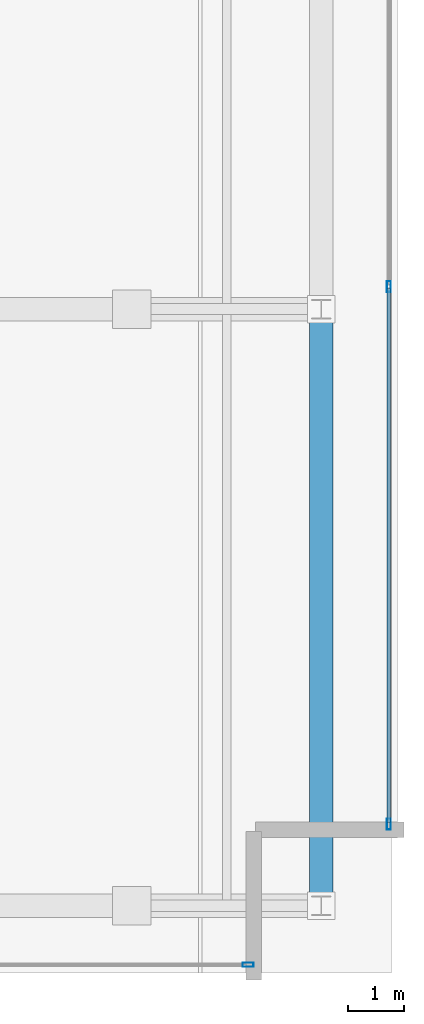
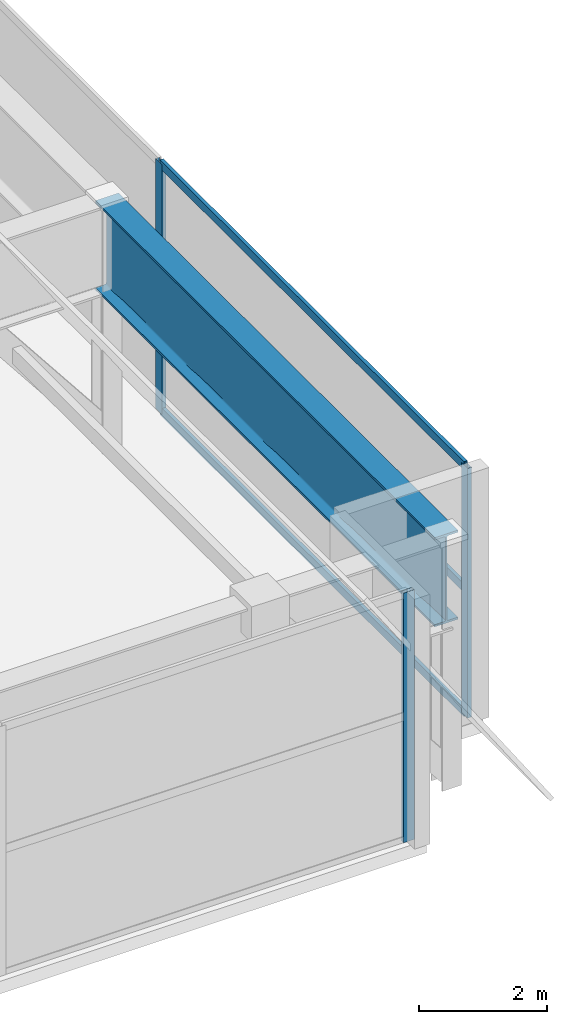
# One storey, part 12 of 21: 6 members, 1 beam, 2 elements without a shape of their own.
"""IFC4 building model written with IfcOpenShell, lengths in metres."""

from ifc_helpers import new_model, si_unit, direction, frame, origin, origin_2d, place, context, subcontext, project, spatial, hollow_rectangle, i_section, extrude, material, layer, layer_set, material_profile, profile_set, type_object, element, aggregate, save


model = new_model("IFC4")

# Units and contexts
model_context = context("Model", 3, precision=1e-05, world=origin(), true_north=direction((0.0, 1.0)))
body_context = subcontext(model_context, "Body", "Model", "MODEL_VIEW")
ifc_project = project(units=[si_unit("LENGTHUNIT", "METRE"), si_unit("AREAUNIT", "SQUARE_METRE"), si_unit("VOLUMEUNIT", "CUBIC_METRE"), si_unit("PLANEANGLEUNIT", "RADIAN"), si_unit("MASSUNIT", "GRAM", prefix="KILO")], contexts=[model_context])

# Site, building, storey
site_placement = place(None, origin())
site = spatial("IfcSite", under=ifc_project, at=site_placement, CompositionType="ELEMENT")
building_placement = place(site_placement, origin())
building = spatial("IfcBuilding", under=site, at=building_placement, Name="Calvorn Quay Hotel", CompositionType="ELEMENT")
storey_placement = place(building_placement, frame((0.0, 0.0, 320.5)))
storey = spatial("IfcBuildingStorey", under=building, at=storey_placement, Name="L79", CompositionType="ELEMENT", Elevation=320.5)

# Beam
ifc_material_1 = material(Name="Steel Q420GJC", Category="steel")
ifc_material_profile_1 = material_profile(ifc_material_1, i_section(OverallWidth=0.419921875, OverallDepth=1.699951171875, WebThickness=0.02392578125, FlangeThickness=0.0419921875, FilletRadius=0.02392578125, at=origin_2d()), Name="HN1700x420x24x42")
ifc_profile_set_1 = profile_set([ifc_material_profile_1], Name="Steel Q420GJC")
beam_type = type_object("IfcBeamType", Name="BM-XFER-SAWTOOTH", PredefinedType="BEAM", material=ifc_profile_set_1)
beam_placement = place(storey_placement, frame((33.48291015625, 3.60009765625, 3.889892578125), z_axis=(0.0, 1.0, 0.0), x_axis=(-1.0, 0.0, 0.0)))
element("IfcBeam", 1, at=beam_placement, inside=storey, type_object=beam_type, Name="Beam BTG-L79-CE1", PredefinedType="BEAM", context=body_context, shape_type="SweptSolid", body=[
    extrude(i_section(OverallWidth=0.419921875, OverallDepth=1.699951171875, WebThickness=0.02392578125, FlangeThickness=0.0419921875, FilletRadius=0.02392578125, at=origin_2d()), origin(), (0.0, 0.0, 1.0), 10.599853515625),
])

# Curtain wall, member
ifc_material_2 = material(Name="Pale Anodised Aluminium and Laminated Glass", Category="aluminium")
ifc_layer = layer(ifc_material_2, 0.219970703125)
ifc_layer_set = layer_set([ifc_layer], Name="CW-SYS-CRN")
curtain_wall_type = type_object("IfcCurtainWallType", Name="CW-SYS-CRN", PredefinedType="NOTDEFINED", material=ifc_layer_set)
curtain_wall_1_placement = place(storey_placement, origin())
curtain_wall_1 = element("IfcCurtainWall", 2, at=curtain_wall_1_placement, inside=storey, type_object=curtain_wall_type, Name="Crown Curtain Wall L79-C1", PredefinedType="NOTDEFINED")
ifc_material_3 = material(Name="Pale Anodised Aluminium 6063-T6", Category="aluminium")
ifc_material_profile_2 = material_profile(ifc_material_3, hollow_rectangle(XDim=0.072021484375, YDim=0.195068359375, WallThickness=0.00390625, at=origin_2d()), Name="ALU-M195x72x4")
ifc_profile_set_2 = profile_set([ifc_material_profile_2], Name="Pale Anodised Aluminium 6063-T6")
member_type_1 = type_object("IfcMemberType", Name="CW-SYS-CRN-MUL", PredefinedType="MULLION", material=ifc_profile_set_2)
member_1_placement = place(storey_placement, frame((32.18310546875, 2.550048828125, 0.0), z_axis=(0.0, 0.0, 1.0), x_axis=(0.0, 1.0, 0.0)))
member_1 = element("IfcMember", 3, at=member_1_placement, type_object=member_type_1, Name="CW-L79-C1 mullion 5", PredefinedType="MULLION", context=body_context, shape_type="SweptSolid", body=[
    extrude(hollow_rectangle(XDim=0.072021484375, YDim=0.195068359375, WallThickness=0.00390625, at=origin_2d()), origin(), (0.0, 0.0, 1.0), 4.760009765625),
])
aggregate(curtain_wall_1, [member_1])

# Curtain wall, members
curtain_wall_2_placement = place(storey_placement, origin())
curtain_wall_2 = element("IfcCurtainWall", 4, at=curtain_wall_2_placement, inside=storey, type_object=curtain_wall_type, Name="Crown Curtain Wall L79-C2", PredefinedType="NOTDEFINED")
member_2_placement = place(storey_placement, frame((34.68310546875, 5.050048828125, 0.0), z_axis=(0.0, 0.0, 1.0), x_axis=(-1.0, 0.0, 0.0)))
member_2 = element("IfcMember", 5, at=member_2_placement, type_object=member_type_1, Name="CW-L79-C2 mullion 1", PredefinedType="MULLION", context=body_context, shape_type="SweptSolid", body=[
    extrude(hollow_rectangle(XDim=0.072021484375, YDim=0.195068359375, WallThickness=0.00390625, at=origin_2d()), origin(), (0.0, 0.0, 1.0), 4.760009765625),
])
member_3_placement = place(storey_placement, frame((34.68310546875, 14.60009765625, 0.0), z_axis=(0.0, 0.0, 1.0), x_axis=(-1.0, 0.0, 0.0)))
member_3 = element("IfcMember", 6, at=member_3_placement, type_object=member_type_1, Name="CW-L79-C2 mullion 2", PredefinedType="MULLION", context=body_context, shape_type="SweptSolid", body=[
    extrude(hollow_rectangle(XDim=0.072021484375, YDim=0.195068359375, WallThickness=0.00390625, at=origin_2d()), origin(), (0.0, 0.0, 1.0), 4.760009765625),
])
ifc_material_4 = material(Name="Pale Anodised Aluminium 6063-T6", Category="aluminium")
ifc_material_profile_3 = material_profile(ifc_material_4, hollow_rectangle(XDim=0.06201171875, YDim=0.159912109375, WallThickness=0.00341796875, at=origin_2d()), Name="ALU-T160x62x3.5")
ifc_profile_set_3 = profile_set([ifc_material_profile_3], Name="Pale Anodised Aluminium 6063-T6")
member_type_2 = type_object("IfcMemberType", Name="CW-SYS-CRN-TRN", PredefinedType="USERDEFINED", material=ifc_profile_set_3)
member_4_placement = place(storey_placement, frame((34.68310546875, 5.080078125, 0.030029296875), z_axis=(0.0, 1.0, 0.0), x_axis=(-1.0, 0.0, 0.0)))
member_4 = element("IfcMember", 7, at=member_4_placement, type_object=member_type_2, Name="CW-L79-C2 transom 1.1", ObjectType="TRANSOM", PredefinedType="USERDEFINED", context=body_context, shape_type="SweptSolid", body=[
    extrude(hollow_rectangle(XDim=0.06201171875, YDim=0.159912109375, WallThickness=0.00341796875, at=origin_2d()), origin(), (0.0, 0.0, 1.0), 9.489990234375),
])
member_5_placement = place(storey_placement, frame((34.68310546875, 5.080078125, 2.39990234375), z_axis=(0.0, 1.0, 0.0), x_axis=(-1.0, 0.0, 0.0)))
member_5 = element("IfcMember", 8, at=member_5_placement, type_object=member_type_2, Name="CW-L79-C2 transom 1.2", ObjectType="TRANSOM", PredefinedType="USERDEFINED", context=body_context, shape_type="SweptSolid", body=[
    extrude(hollow_rectangle(XDim=0.06201171875, YDim=0.159912109375, WallThickness=0.00341796875, at=origin_2d()), origin(), (0.0, 0.0, 1.0), 9.489990234375),
])
member_6_placement = place(storey_placement, frame((34.68310546875, 5.080078125, 4.72998046875), z_axis=(0.0, 1.0, 0.0), x_axis=(-1.0, 0.0, 0.0)))
member_6 = element("IfcMember", 9, at=member_6_placement, type_object=member_type_2, Name="CW-L79-C2 transom 1.3", ObjectType="TRANSOM", PredefinedType="USERDEFINED", context=body_context, shape_type="SweptSolid", body=[
    extrude(hollow_rectangle(XDim=0.06201171875, YDim=0.159912109375, WallThickness=0.00341796875, at=origin_2d()), origin(), (0.0, 0.0, 1.0), 9.489990234375),
])
aggregate(curtain_wall_2, [member_2, member_3, member_4, member_5, member_6])

save(model, "model.ifc")
